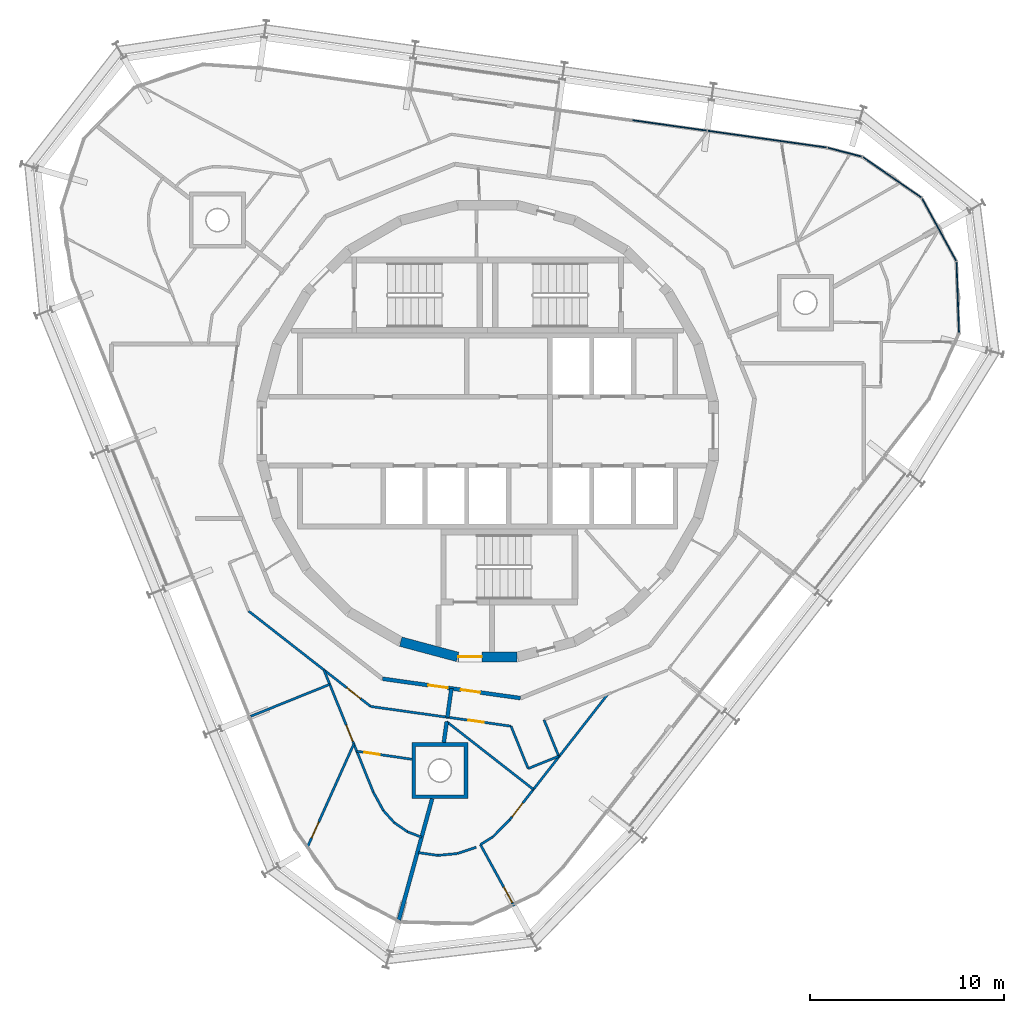
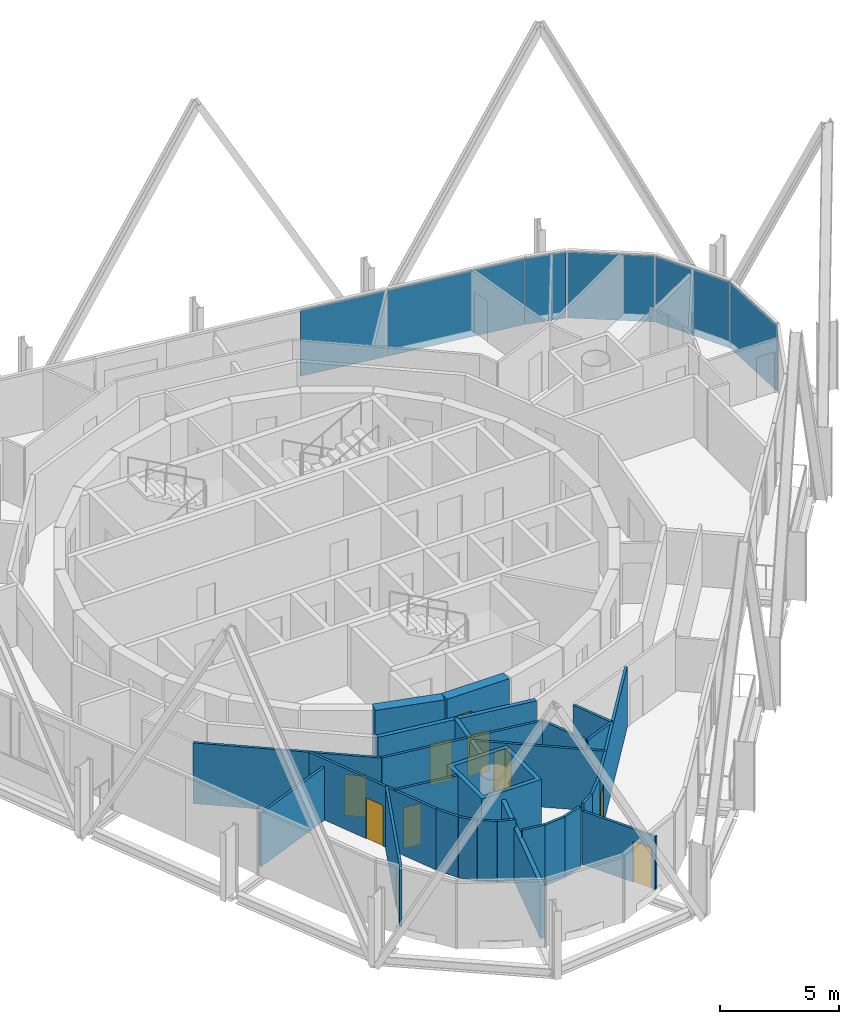
# One storey, part 9 of 15: 28 walls, 10 doors, 6 plates, 10 openings, 2 elements without a shape of their own.
"""IFC4 building model written with IfcOpenShell, lengths in metres."""

from ifc_helpers import new_model, si_unit, direction, frame, frame_2d, origin, origin_2d, place, context, subcontext, project, spatial, polyline, rectangle, outline, extrude, material, layer, layer_set, type_object, element, fill, aggregate, save


model = new_model("IFC4")

# Units and contexts
model_context = context("Model", 3, precision=1e-05, world=origin(), true_north=direction((0.0, 1.0)))
body_context = subcontext(model_context, "Body", "Model", "MODEL_VIEW")
ifc_project = project(units=[si_unit("LENGTHUNIT", "METRE"), si_unit("AREAUNIT", "SQUARE_METRE"), si_unit("VOLUMEUNIT", "CUBIC_METRE"), si_unit("PLANEANGLEUNIT", "RADIAN"), si_unit("MASSUNIT", "GRAM", prefix="KILO")], contexts=[model_context])

# Site, building, storey
site_placement = place(None, origin())
site = spatial("IfcSite", under=ifc_project, at=site_placement, CompositionType="ELEMENT")
building_placement = place(site_placement, origin())
building = spatial("IfcBuilding", under=site, at=building_placement, Name="Spindle Arch Residences", CompositionType="ELEMENT")
storey_placement = place(building_placement, frame((0.0, 0.0, 347.0)))
storey = spatial("IfcBuildingStorey", under=building, at=storey_placement, Name="L89", CompositionType="ELEMENT", Elevation=347.0)

# Curtain wall, plates
ifc_material_1 = material(Name="Aluminium bronze unitised frame with tinted glass", Category="aluminium")
ifc_layer_1 = layer(ifc_material_1, 0.159912109375)
ifc_layer_set_1 = layer_set([ifc_layer_1], Name="CW-D corner wall on the fillet arcs")
curtain_wall_type_1 = type_object("IfcCurtainWallType", Name="CW-D corner wall on the fillet arcs", PredefinedType="NOTDEFINED", material=ifc_layer_set_1)
curtain_wall_1_placement = place(storey_placement, origin())
curtain_wall_1 = element("IfcCurtainWall", 1, at=curtain_wall_1_placement, inside=storey, type_object=curtain_wall_type_1, Name="CW-D L89 run 1", PredefinedType="NOTDEFINED")
ifc_material_2 = material(Name="Tinted double glazing over aluminium faced non-combustible spandrel zone (K0)", Category="aluminium")
ifc_layer_2 = layer(ifc_material_2, 0.06005859375)
ifc_layer_set_2 = layer_set([ifc_layer_2], Name="Unitised glass panel with E 60 spandrel zone")
plate_type = type_object("IfcPlateType", Name="Unitised glass panel with E 60 spandrel zone", PredefinedType="CURTAIN_PANEL", material=ifc_layer_set_2)
plate_1_placement = place(storey_placement, frame((24.2470703125, 6.896240234375, -0.3798828125), z_axis=(0.0, 0.0, 1.0), x_axis=(-0.034899497139, 0.999390827004, 0.0)))
plate_1 = element("IfcPlate", 2, at=plate_1_placement, type_object=plate_type, Name="CW-D unit 02", PredefinedType="CURTAIN_PANEL", context=body_context, shape_type="SweptSolid", body=[
    extrude(rectangle(XDim=3.666748046875, YDim=0.06005859375, at=origin_2d()), origin(), (0.0, 0.0, 1.0), 3.3798828125),
])
plate_2_placement = place(storey_placement, frame((23.2880859375, 10.3935546875, -0.3798828125), z_axis=(0.0, 0.0, 1.0), x_axis=(-0.479713114021, 0.877425397533, 0.0)))
plate_2 = element("IfcPlate", 3, at=plate_2_placement, type_object=plate_type, Name="CW-D unit 03", PredefinedType="CURTAIN_PANEL", context=body_context, shape_type="SweptSolid", body=[
    extrude(rectangle(XDim=3.666748046875, YDim=0.06005859375, at=origin_2d()), origin(), (0.0, 0.0, 1.0), 3.3798828125),
])
plate_3_placement = place(storey_placement, frame((20.86181640625, 13.08837890625, -0.3798828125), z_axis=(0.0, 0.0, 1.0), x_axis=(-0.822475094841, 0.568801123739, 0.0)))
plate_3 = element("IfcPlate", 4, at=plate_3_placement, type_object=plate_type, Name="CW-D unit 04", PredefinedType="CURTAIN_PANEL", context=body_context, shape_type="SweptSolid", body=[
    extrude(rectangle(XDim=3.666748046875, YDim=0.06005859375, at=origin_2d()), origin(), (0.0, 0.0, 1.0), 3.3798828125),
])
plate_4_placement = place(storey_placement, frame((18.421630859375, 14.3857421875, -0.3798828125), z_axis=(0.0, 0.0, 1.0), x_axis=(-0.967415218326, 0.25319517245, 0.0)))
plate_4 = element("IfcPlate", 5, at=plate_4_placement, type_object=plate_type, Name="CW-D unit 05", PredefinedType="CURTAIN_PANEL", context=body_context, shape_type="SweptSolid", body=[
    extrude(rectangle(XDim=1.816162109375, YDim=0.06005859375, at=origin_2d()), origin(), (0.0, 0.0, 1.0), 3.3798828125),
])
plate_5_placement = place(storey_placement, frame((14.420166015625, 15.05810546875, -0.3798828125), z_axis=(0.0, 0.0, 1.0), x_axis=(-0.990268068742, 0.13917310096, 0.0)))
plate_5 = element("IfcPlate", 6, at=plate_5_placement, type_object=plate_type, Name="CW-D unit 06", PredefinedType="CURTAIN_PANEL", context=body_context, shape_type="SweptSolid", body=[
    extrude(rectangle(XDim=6.188720703125, YDim=0.06005859375, at=origin_2d()), origin(), (0.0, 0.0, 1.0), 3.3798828125),
])
aggregate(curtain_wall_1, [plate_1, plate_2, plate_3, plate_4, plate_5])

# Curtain wall, plate
ifc_material_3 = material(Name="Aluminium bronze unitised frame with tinted glass", Category="aluminium")
ifc_layer_3 = layer(ifc_material_3, 0.159912109375)
ifc_layer_set_3 = layer_set([ifc_layer_3], Name="CW-C typical residential unitised wall")
curtain_wall_type_2 = type_object("IfcCurtainWallType", Name="CW-C typical residential unitised wall", PredefinedType="NOTDEFINED", material=ifc_layer_set_3)
curtain_wall_2_placement = place(storey_placement, origin())
curtain_wall_2 = element("IfcCurtainWall", 7, at=curtain_wall_2_placement, inside=storey, type_object=curtain_wall_type_2, Name="CW-C L89 run 2", PredefinedType="NOTDEFINED")
plate_6_placement = place(storey_placement, frame((9.388916015625, 15.76513671875, -0.3798828125), z_axis=(0.0, 0.0, 1.0), x_axis=(-0.990268068742, 0.13917310096, 0.0)))
plate_6 = element("IfcPlate", 8, at=plate_6_placement, type_object=plate_type, Name="CW-C unit 05A", PredefinedType="CURTAIN_PANEL", context=body_context, shape_type="SweptSolid", body=[
    extrude(rectangle(XDim=3.852783203125, YDim=0.06005859375, at=origin_2d()), origin(), (0.0, 0.0, 1.0), 3.3798828125),
])
aggregate(curtain_wall_2, [plate_6])

# Wall
ifc_material_4 = material(Name="Concrete C50/60", Category="concrete")
ifc_layer_4 = layer(ifc_material_4, 0.5)
ifc_layer_set_4 = layer_set([ifc_layer_4], Name="Core outline wall 500")
wall_type_1 = type_object("IfcWallType", Name="Core outline wall 500", PredefinedType="SHEAR", material=ifc_layer_set_4)
wall_1_placement = place(storey_placement, frame((-4.479248046875, -10.858154296875, 0.0), z_axis=(0.0, 0.0, 1.0), x_axis=(0.965948410781, -0.258734743916, 0.0)))
element("IfcWall", 9, at=wall_1_placement, inside=storey, type_object=wall_type_1, Name="Core outline wall 23", PredefinedType="SHEAR", context=body_context, shape_type="SweptSolid", body=[
    extrude(rectangle(XDim=3.03271484375, YDim=0.5, at=frame_2d((1.516357421875, 0.0))), origin(), (0.0, 0.0, 1.0), 3.1201171875),
])

# Wall, opening, door
wall_2_placement = place(storey_placement, frame((-1.516357421875, -11.647216796875, 0.0), z_axis=(0.0, 0.0, 1.0), x_axis=(1.0, 0.0, 0.0)))
wall_2 = element("IfcWall", 10, at=wall_2_placement, inside=storey, type_object=wall_type_1, Name="Core outline wall 24", PredefinedType="SHEAR", context=body_context, shape_type="SweptSolid", body=[
    extrude(rectangle(XDim=3.03271484375, YDim=0.5, at=frame_2d((1.516357421875, 0.0))), origin(), (0.0, 0.0, 1.0), 3.1201171875),
])
opening_1_placement = place(wall_2_placement, frame((0.016357421875, 0.0, 0.0)))
opening_1 = element("IfcOpeningElement", 11, at=opening_1_placement, cuts=wall_2, Name="Opening R9B0-AD03", PredefinedType="OPENING", context=body_context, shape_type="SweptSolid", body=[
    extrude(rectangle(XDim=1.199951171875, YDim=2.10009765625, at=frame_2d((0.60009765625, 1.050048828125))), frame((0.0, 0.260009765625, 0.0), z_axis=(0.0, -1.0, 0.0), x_axis=(1.0, 0.0, 0.0)), (0.0, 0.0, 1.0), 0.52001953125),
])
ifc_material_5 = material(Name="Steel, fire-resisting door", Category="steel")
door_type_1 = type_object("IfcDoorType", Name="Stair airlock door 1200x2100", OperationType="SINGLE_SWING_LEFT", PredefinedType="DOOR", material=ifc_material_5)
door_1_placement = place(opening_1_placement, origin())
door_1 = element("IfcDoor", 12, at=door_1_placement, inside=storey, type_object=door_type_1, Name="Stair airlock door R9B0-AD03", OperationType="SINGLE_SWING_RIGHT", OverallHeight=2.10009765625, OverallWidth=1.199951171875, PredefinedType="DOOR", context=body_context, shape_type="SweptSolid", body=[
    extrude(rectangle(XDim=1.199951171875, YDim=2.10009765625, at=frame_2d((0.60009765625, 1.050048828125))), frame((0.0, 0.02490234375, 0.0), z_axis=(0.0, -1.0, 0.0), x_axis=(1.0, 0.0, 0.0)), (0.0, 0.0, 1.0), 0.050048828125),
])
fill(opening_1, door_1)

# Wall, openings, doors
ifc_material_6 = material(Name="Calcium silicate block, plastered")
ifc_layer_5 = layer(ifc_material_6, 0.199951171875)
ifc_layer_set_5 = layer_set([ifc_layer_5], Name="Corridor wall 200")
wall_type_2 = type_object("IfcWallType", Name="Corridor wall 200", PredefinedType="STANDARD", material=ifc_layer_set_5)
wall_3_placement = place(storey_placement, frame((-5.42041015625, -12.77001953125, 0.0), z_axis=(0.0, 0.0, 1.0), x_axis=(0.990270565508, -0.139155334385, 0.0)))
wall_3 = element("IfcWall", 13, at=wall_3_placement, inside=storey, type_object=wall_type_2, Name="Corridor wall R9B0-W015", PredefinedType="STANDARD", context=body_context, shape_type="SweptSolid", body=[
    extrude(rectangle(XDim=7.180908203125, YDim=0.199951171875, at=frame_2d((3.59033203125, 0.0))), origin(), (0.0, 0.0, 1.0), 3.1201171875),
])
opening_2_placement = place(wall_3_placement, frame((2.390380859375, 0.0, 0.0)))
opening_2 = element("IfcOpeningElement", 14, at=opening_2_placement, cuts=wall_3, Name="Opening R9B0-FD05", PredefinedType="OPENING", context=body_context, shape_type="SweptSolid", body=[
    extrude(rectangle(XDim=1.0, YDim=2.10009765625, at=frame_2d((0.5, 1.050048828125))), frame((0.0, 0.10986328125, 0.0), z_axis=(0.0, -1.0, 0.0), x_axis=(1.0, 0.0, 0.0)), (0.0, 0.0, 1.0), 0.219970703125),
])
opening_3_placement = place(wall_3_placement, frame((4.090576171875, 0.0, 0.0)))
opening_3 = element("IfcOpeningElement", 15, at=opening_3_placement, cuts=wall_3, Name="Opening R9B0-FD06", PredefinedType="OPENING", context=body_context, shape_type="SweptSolid", body=[
    extrude(rectangle(XDim=1.0, YDim=2.10009765625, at=frame_2d((0.5, 1.050048828125))), frame((0.0, 0.10986328125, 0.0), z_axis=(0.0, -1.0, 0.0), x_axis=(1.0, 0.0, 0.0)), (0.0, 0.0, 1.0), 0.219970703125),
])
ifc_material_7 = material(Name="Timber, fire-resisting door set", Category="wood")
door_type_2 = type_object("IfcDoorType", Name="Flat entrance door 1000x2100", OperationType="NOTDEFINED", PredefinedType="DOOR", material=ifc_material_7)
door_2_placement = place(opening_2_placement, origin())
door_2 = element("IfcDoor", 16, at=door_2_placement, inside=storey, type_object=door_type_2, Name="Flat entrance door R9B0-FD05", OperationType="SINGLE_SWING_RIGHT", OverallHeight=2.10009765625, OverallWidth=1.0, PredefinedType="DOOR", context=body_context, shape_type="SweptSolid", body=[
    extrude(rectangle(XDim=1.0, YDim=2.10009765625, at=frame_2d((0.5, 1.050048828125))), frame((0.0, 0.02490234375, 0.0), z_axis=(0.0, -1.0, 0.0), x_axis=(1.0, 0.0, 0.0)), (0.0, 0.0, 1.0), 0.050048828125),
])
fill(opening_2, door_2)
door_3_placement = place(opening_3_placement, origin())
door_3 = element("IfcDoor", 17, at=door_3_placement, inside=storey, type_object=door_type_2, Name="Flat entrance door R9B0-FD06", OperationType="SINGLE_SWING_RIGHT", OverallHeight=2.10009765625, OverallWidth=1.0, PredefinedType="DOOR", context=body_context, shape_type="SweptSolid", body=[
    extrude(rectangle(XDim=1.0, YDim=2.10009765625, at=frame_2d((0.5, 1.050048828125))), frame((0.0, 0.02490234375, 0.0), z_axis=(0.0, -1.0, 0.0), x_axis=(1.0, 0.0, 0.0)), (0.0, 0.0, 1.0), 0.050048828125),
])
fill(opening_3, door_3)

# Wall, opening, door
ifc_material_8 = material(Name="Plasterboard on steel studs", Category="steel")
ifc_layer_6 = layer(ifc_material_8, 0.1201171875)
ifc_layer_set_6 = layer_set([ifc_layer_6], Name="Flat partition 120")
wall_type_3 = type_object("IfcWallType", Name="Flat partition 120", PredefinedType="PARTITIONING", material=ifc_layer_set_6)
wall_4_placement = place(storey_placement, frame((-12.3193359375, -9.283447265625, 0.0), z_axis=(0.0, 0.0, 1.0), x_axis=(0.788000268464, -0.61567489546, 0.0)))
wall_4 = element("IfcWall", 18, at=wall_4_placement, inside=storey, type_object=wall_type_3, Name="Flat partition R9B0-W075", PredefinedType="PARTITIONING", context=body_context, shape_type="SweptSolid", body=[
    extrude(rectangle(XDim=7.98486328125, YDim=0.1201171875, at=frame_2d((3.992431640625, 0.0))), origin(), (0.0, 0.0, 1.0), 3.1201171875),
])
opening_4_placement = place(wall_4_placement, frame((6.423095703125, 0.0, 0.0)))
opening_4 = element("IfcOpeningElement", 19, at=opening_4_placement, cuts=wall_4, Name="Opening R9B0-ID16", PredefinedType="OPENING", context=body_context, shape_type="SweptSolid", body=[
    extrude(rectangle(XDim=0.89990234375, YDim=2.10009765625, at=frame_2d((0.449951171875, 1.050048828125))), frame((0.0, 0.070068359375, 0.0), z_axis=(0.0, -1.0, 0.0), x_axis=(1.0, 0.0, 0.0)), (0.0, 0.0, 1.0), 0.14013671875),
])
ifc_material_9 = material(Name="Timber door set", Category="wood")
door_type_3 = type_object("IfcDoorType", Name="Room door 900x2100", OperationType="NOTDEFINED", PredefinedType="DOOR", material=ifc_material_9)
door_4_placement = place(opening_4_placement, origin())
door_4 = element("IfcDoor", 20, at=door_4_placement, inside=storey, type_object=door_type_3, Name="Room door R9B0-ID16", OperationType="SINGLE_SWING_RIGHT", OverallHeight=2.10009765625, OverallWidth=0.89990234375, PredefinedType="DOOR", context=body_context, shape_type="SweptSolid", body=[
    extrude(rectangle(XDim=0.89990234375, YDim=2.10009765625, at=frame_2d((0.449951171875, 1.050048828125))), frame((0.0, 0.02490234375, 0.0), z_axis=(0.0, -1.0, 0.0), x_axis=(1.0, 0.0, 0.0)), (0.0, 0.0, 1.0), 0.050048828125),
])
fill(opening_4, door_4)

wall_5_placement = place(storey_placement, frame((-6.02734375, -14.199462890625, 0.0), z_axis=(0.0, 0.0, 1.0), x_axis=(0.990271617837, -0.139147845494, 0.0)))
wall_5 = element("IfcWall", 21, at=wall_5_placement, inside=storey, type_object=wall_type_3, Name="Flat partition R9B0-W076", PredefinedType="PARTITIONING", context=body_context, shape_type="SweptSolid", body=[
    extrude(rectangle(XDim=7.3076171875, YDim=0.1201171875, at=frame_2d((3.65380859375, 0.0))), origin(), (0.0, 0.0, 1.0), 3.1201171875),
])
opening_5_placement = place(wall_5_placement, frame((5.092529296875, 0.0, 0.0)))
opening_5 = element("IfcOpeningElement", 22, at=opening_5_placement, cuts=wall_5, Name="Opening R9B0-BD06", PredefinedType="OPENING", context=body_context, shape_type="SweptSolid", body=[
    extrude(rectangle(XDim=0.800048828125, YDim=2.10009765625, at=frame_2d((0.39990234375, 1.050048828125))), frame((0.0, 0.070068359375, 0.0), z_axis=(0.0, -1.0, 0.0), x_axis=(1.0, 0.0, 0.0)), (0.0, 0.0, 1.0), 0.14013671875),
])
ifc_material_10 = material(Name="Timber door set", Category="wood")
door_type_4 = type_object("IfcDoorType", Name="Bathroom door 800x2100", OperationType="NOTDEFINED", PredefinedType="DOOR", material=ifc_material_10)
door_5_placement = place(opening_5_placement, origin())
door_5 = element("IfcDoor", 23, at=door_5_placement, inside=storey, type_object=door_type_4, Name="Bathroom door R9B0-BD06", OperationType="SINGLE_SWING_LEFT", OverallHeight=2.10009765625, OverallWidth=0.800048828125, PredefinedType="DOOR", context=body_context, shape_type="SweptSolid", body=[
    extrude(rectangle(XDim=0.800048828125, YDim=2.10009765625, at=frame_2d((0.39990234375, 1.050048828125))), frame((0.0, 0.02490234375, 0.0), z_axis=(0.0, -1.0, 0.0), x_axis=(1.0, 0.0, 0.0)), (0.0, 0.0, 1.0), 0.050048828125),
])
fill(opening_5, door_5)

wall_6_placement = place(storey_placement, frame((-5.89404296875, -18.615966796875, 0.0), z_axis=(0.0, 0.0, 1.0), x_axis=(-0.374596683143, 0.927187858515, 0.0)))
wall_6 = element("IfcWall", 24, at=wall_6_placement, inside=storey, type_object=wall_type_3, Name="Flat partition R9B0-W078", PredefinedType="PARTITIONING", context=body_context, shape_type="SweptSolid", body=[
    extrude(rectangle(XDim=6.79638671875, YDim=0.1201171875, at=frame_2d((3.398193359375, 0.0))), origin(), (0.0, 0.0, 1.0), 3.1201171875),
])
opening_6_placement = place(wall_6_placement, frame((2.822265625, 0.0, 0.0)))
opening_6 = element("IfcOpeningElement", 25, at=opening_6_placement, cuts=wall_6, Name="Opening R9B0-ID17", PredefinedType="OPENING", context=body_context, shape_type="SweptSolid", body=[
    extrude(rectangle(XDim=0.89990234375, YDim=2.10009765625, at=frame_2d((0.449951171875, 1.050048828125))), frame((0.0, 0.070068359375, 0.0), z_axis=(0.0, -1.0, 0.0), x_axis=(1.0, 0.0, 0.0)), (0.0, 0.0, 1.0), 0.14013671875),
])
door_6_placement = place(opening_6_placement, origin())
door_6 = element("IfcDoor", 26, at=door_6_placement, inside=storey, type_object=door_type_3, Name="Room door R9B0-ID17", OperationType="SINGLE_SWING_RIGHT", OverallHeight=2.10009765625, OverallWidth=0.89990234375, PredefinedType="DOOR", context=body_context, shape_type="SweptSolid", body=[
    extrude(rectangle(XDim=0.89990234375, YDim=2.10009765625, at=frame_2d((0.449951171875, 1.050048828125))), frame((0.0, 0.02490234375, 0.0), z_axis=(0.0, -1.0, 0.0), x_axis=(1.0, 0.0, 0.0)), (0.0, 0.0, 1.0), 0.050048828125),
])
fill(opening_6, door_6)

wall_7_placement = place(storey_placement, frame((-9.3203125, -21.52099609375, 0.0), z_axis=(0.0, 0.0, 1.0), x_axis=(0.410206582363, 0.911992631432, 0.0)))
wall_7 = element("IfcWall", 27, at=wall_7_placement, inside=storey, type_object=wall_type_3, Name="Flat partition R9B0-W079", PredefinedType="PARTITIONING", context=body_context, shape_type="SweptSolid", body=[
    extrude(rectangle(XDim=5.90771484375, YDim=0.1201171875, at=frame_2d((2.953857421875, 0.0))), origin(), (0.0, 0.0, 1.0), 3.1201171875),
])
opening_7_placement = place(wall_7_placement, frame((0.60009765625, 0.0, 0.0)))
opening_7 = element("IfcOpeningElement", 28, at=opening_7_placement, cuts=wall_7, Name="Opening R9B0-ID18", PredefinedType="OPENING", context=body_context, shape_type="SweptSolid", body=[
    extrude(rectangle(XDim=0.89990234375, YDim=2.10009765625, at=frame_2d((0.449951171875, 1.050048828125))), frame((0.0, 0.070068359375, 0.0), z_axis=(0.0, -1.0, 0.0), x_axis=(1.0, 0.0, 0.0)), (0.0, 0.0, 1.0), 0.14013671875),
])
door_7_placement = place(opening_7_placement, origin())
door_7 = element("IfcDoor", 29, at=door_7_placement, inside=storey, type_object=door_type_3, Name="Room door R9B0-ID18", OperationType="SINGLE_SWING_RIGHT", OverallHeight=2.10009765625, OverallWidth=0.89990234375, PredefinedType="DOOR", context=body_context, shape_type="SweptSolid", body=[
    extrude(rectangle(XDim=0.89990234375, YDim=2.10009765625, at=frame_2d((0.449951171875, 1.050048828125))), frame((0.0, 0.02490234375, 0.0), z_axis=(0.0, -1.0, 0.0), x_axis=(1.0, 0.0, 0.0)), (0.0, 0.0, 1.0), 0.050048828125),
])
fill(opening_7, door_7)

wall_8_placement = place(storey_placement, frame((-6.7451171875, -16.509033203125, 0.0), z_axis=(0.0, 0.0, 1.0), x_axis=(0.989610924185, -0.143771411393, 0.0)))
wall_8 = element("IfcWall", 30, at=wall_8_placement, inside=storey, type_object=wall_type_3, Name="Flat partition R9B0-W080", PredefinedType="PARTITIONING", context=body_context, shape_type="SweptSolid", body=[
    extrude(rectangle(XDim=2.86474609375, YDim=0.1201171875, at=frame_2d((1.432373046875, 0.0))), origin(), (0.0, 0.0, 1.0), 3.1201171875),
])
opening_8_placement = place(wall_8_placement, frame((0.39990234375, 0.0, 0.0)))
opening_8 = element("IfcOpeningElement", 31, at=opening_8_placement, cuts=wall_8, Name="Opening R9B0-BD05", PredefinedType="OPENING", context=body_context, shape_type="SweptSolid", body=[
    extrude(rectangle(XDim=0.800048828125, YDim=2.10009765625, at=frame_2d((0.39990234375, 1.050048828125))), frame((0.0, 0.070068359375, 0.0), z_axis=(0.0, -1.0, 0.0), x_axis=(1.0, 0.0, 0.0)), (0.0, 0.0, 1.0), 0.14013671875),
])
door_8_placement = place(opening_8_placement, origin())
door_8 = element("IfcDoor", 32, at=door_8_placement, inside=storey, type_object=door_type_4, Name="Bathroom door R9B0-BD05", OperationType="SINGLE_SWING_RIGHT", OverallHeight=2.10009765625, OverallWidth=0.800048828125, PredefinedType="DOOR", context=body_context, shape_type="SweptSolid", body=[
    extrude(rectangle(XDim=0.800048828125, YDim=2.10009765625, at=frame_2d((0.39990234375, 1.050048828125))), frame((0.0, 0.02490234375, 0.0), z_axis=(0.0, -1.0, 0.0), x_axis=(1.0, 0.0, 0.0)), (0.0, 0.0, 1.0), 0.050048828125),
])
fill(opening_8, door_8)

# Walls
wall_9_placement = place(storey_placement, frame((-3.403564453125, -20.943115234375, 0.0), z_axis=(0.0, 0.0, 1.0), x_axis=(-0.931485289212, 0.363778993321, 0.0)))
element("IfcWall", 33, at=wall_9_placement, inside=storey, type_object=wall_type_3, Name="Flat partition R9B0-W081", PredefinedType="PARTITIONING", context=body_context, shape_type="SweptSolid", body=[
    extrude(rectangle(XDim=0.78662109375, YDim=0.1201171875, at=frame_2d((0.393310546875, 0.0))), origin(), (0.0, 0.0, 1.0), 3.1201171875),
])
wall_10_placement = place(storey_placement, frame((-4.13623046875, -20.656982421875, 0.0), z_axis=(0.0, 0.0, 1.0), x_axis=(-0.822552500908, 0.568689179826, 0.0)))
element("IfcWall", 34, at=wall_10_placement, inside=storey, type_object=wall_type_3, Name="Flat partition R9B0-W082", PredefinedType="PARTITIONING", context=body_context, shape_type="SweptSolid", body=[
    extrude(rectangle(XDim=0.8291015625, YDim=0.1201171875, at=frame_2d((0.41455078125, 0.0))), origin(), (0.0, 0.0, 1.0), 3.1201171875),
])
wall_11_placement = place(storey_placement, frame((-4.818115234375, -20.185546875, 0.0), z_axis=(0.0, 0.0, 1.0), x_axis=(-0.669013557227, 0.743250200301, 0.0)))
element("IfcWall", 35, at=wall_11_placement, inside=storey, type_object=wall_type_3, Name="Flat partition R9B0-W083", PredefinedType="PARTITIONING", context=body_context, shape_type="SweptSolid", body=[
    extrude(rectangle(XDim=0.828857421875, YDim=0.1201171875, at=frame_2d((0.41455078125, 0.0))), origin(), (0.0, 0.0, 1.0), 3.1201171875),
])
wall_12_placement = place(storey_placement, frame((-5.37255859375, -19.569580078125, 0.0), z_axis=(0.0, 0.0, 1.0), x_axis=(-0.479796131471, 0.87738000446, 0.0)))
element("IfcWall", 36, at=wall_12_placement, inside=storey, type_object=wall_type_3, Name="Flat partition R9B0-W084", PredefinedType="PARTITIONING", context=body_context, shape_type="SweptSolid", body=[
    extrude(rectangle(XDim=1.0869140625, YDim=0.1201171875, at=frame_2d((0.54345703125, 0.0))), origin(), (0.0, 0.0, 1.0), 3.1201171875),
])
wall_13_placement = place(storey_placement, frame((1.209228515625, -15.21630859375, 0.0), z_axis=(0.0, 0.0, 1.0), x_axis=(0.374531550488, -0.927214170345, 0.0)))
element("IfcWall", 37, at=wall_13_placement, inside=storey, type_object=wall_type_3, Name="Flat partition R9B0-W085", PredefinedType="PARTITIONING", context=body_context, shape_type="SweptSolid", body=[
    extrude(rectangle(XDim=2.357177734375, YDim=0.1201171875, at=frame_2d((1.1787109375, 0.0))), origin(), (0.0, 0.0, 1.0), 3.1201171875),
])
wall_14_placement = place(storey_placement, frame((2.092041015625, -17.40185546875, 0.0), z_axis=(0.0, 0.0, 1.0), x_axis=(0.927153589835, 0.374681492546, 0.0)))
element("IfcWall", 38, at=wall_14_placement, inside=storey, type_object=wall_type_3, Name="Flat partition R9B0-W086", PredefinedType="PARTITIONING", context=body_context, shape_type="SweptSolid", body=[
    extrude(rectangle(XDim=1.699951171875, YDim=0.1201171875, at=frame_2d((0.85009765625, 0.0))), origin(), (0.0, 0.0, 1.0), 3.1201171875),
])
wall_15_placement = place(storey_placement, frame((3.668212890625, -16.764892578125, 0.0), z_axis=(0.0, 0.0, 1.0), x_axis=(-0.374621045498, 0.927178015416, 0.0)))
element("IfcWall", 39, at=wall_15_placement, inside=storey, type_object=wall_type_3, Name="Flat partition R9B0-W087", PredefinedType="PARTITIONING", context=body_context, shape_type="SweptSolid", body=[
    extrude(rectangle(XDim=2.018310546875, YDim=0.1201171875, at=frame_2d((1.00927734375, 0.0))), origin(), (0.0, 0.0, 1.0), 3.1201171875),
])
wall_16_placement = place(storey_placement, frame((-0.587890625, -21.45947265625, 0.0), z_axis=(0.0, 0.0, 1.0), x_axis=(-0.94737753159, -0.320118435332, 0.0)))
element("IfcWall", 40, at=wall_16_placement, inside=storey, type_object=wall_type_3, Name="Flat partition R9B0-W090", PredefinedType="PARTITIONING", context=body_context, shape_type="SweptSolid", body=[
    extrude(rectangle(XDim=1.015869140625, YDim=0.1201171875, at=frame_2d((0.5078125, 0.0))), origin(), (0.0, 0.0, 1.0), 3.1201171875),
])
wall_17_placement = place(storey_placement, frame((-1.55029296875, -21.78466796875, 0.0), z_axis=(0.0, 0.0, 1.0), x_axis=(-0.995667655176, -0.092983441736, 0.0)))
element("IfcWall", 41, at=wall_17_placement, inside=storey, type_object=wall_type_3, Name="Flat partition R9B0-W091", PredefinedType="PARTITIONING", context=body_context, shape_type="SweptSolid", body=[
    extrude(rectangle(XDim=1.01611328125, YDim=0.1201171875, at=frame_2d((0.508056640625, 0.0))), origin(), (0.0, 0.0, 1.0), 3.1201171875),
])
wall_18_placement = place(storey_placement, frame((-2.56201171875, -21.879150390625, 0.0), z_axis=(0.0, 0.0, 1.0), x_axis=(-0.990273657549, 0.139133328736, 0.0)))
element("IfcWall", 42, at=wall_18_placement, inside=storey, type_object=wall_type_3, Name="Flat partition R9B0-W092", PredefinedType="PARTITIONING", context=body_context, shape_type="SweptSolid", body=[
    extrude(rectangle(XDim=1.015869140625, YDim=0.1201171875, at=frame_2d((0.5078125, 0.0))), origin(), (0.0, 0.0, 1.0), 3.1201171875),
])
wall_19_placement = place(storey_placement, frame((2.36328125, -18.477783203125, 0.0), z_axis=(0.0, 0.0, 1.0), x_axis=(-0.788010669333, 0.615661583191, 0.0)))
element("IfcWall", 43, at=wall_19_placement, inside=storey, type_object=wall_type_3, Name="Flat partition R9B0-W094", PredefinedType="PARTITIONING", context=body_context, shape_type="SweptSolid", body=[
    extrude(rectangle(XDim=5.671875, YDim=0.1201171875, at=frame_2d((2.8359375, 0.0))), origin(), (0.0, 0.0, 1.0), 3.1201171875),
])
wall_20_placement = place(storey_placement, frame((-0.368896484375, -21.32275390625, 0.0), z_axis=(0.0, 0.0, 1.0), x_axis=(0.847998304005, 0.529998940003, 0.0)))
element("IfcWall", 44, at=wall_20_placement, inside=storey, type_object=wall_type_3, Name="Flat partition R9B0-W095", PredefinedType="PARTITIONING", context=body_context, shape_type="SweptSolid", body=[
    extrude(rectangle(XDim=0.7578125, YDim=0.1201171875, at=frame_2d((0.37890625, 0.0))), origin(), (0.0, 0.0, 1.0), 3.1201171875),
])
wall_21_placement = place(storey_placement, frame((0.273681640625, -20.921142578125, 0.0), z_axis=(0.0, 0.0, 1.0), x_axis=(0.702915150142, 0.711273710818, 0.0)))
element("IfcWall", 45, at=wall_21_placement, inside=storey, type_object=wall_type_3, Name="Flat partition R9B0-W096", PredefinedType="PARTITIONING", context=body_context, shape_type="SweptSolid", body=[
    extrude(rectangle(XDim=1.226806640625, YDim=0.1201171875, at=frame_2d((0.61328125, 0.0))), origin(), (0.0, 0.0, 1.0), 3.1201171875),
])

# Wall, opening, door
wall_22_placement = place(storey_placement, frame((1.135986328125, -20.048583984375, 0.0), z_axis=(0.0, 0.0, 1.0), x_axis=(0.615662465763, 0.788009979792, 0.0)))
wall_22 = element("IfcWall", 46, at=wall_22_placement, inside=storey, type_object=wall_type_3, Name="Flat partition R9B0-W097", PredefinedType="PARTITIONING", context=body_context, shape_type="SweptSolid", body=[
    extrude(rectangle(XDim=8.228759765625, YDim=0.1201171875, at=frame_2d((4.1142578125, 0.0))), origin(), (0.0, 0.0, 1.0), 3.1201171875),
])
opening_9_placement = place(wall_22_placement, frame((0.199951171875, 0.0, 0.0)))
opening_9 = element("IfcOpeningElement", 47, at=opening_9_placement, cuts=wall_22, Name="Opening R9B0-ID22", PredefinedType="OPENING", context=body_context, shape_type="SweptSolid", body=[
    extrude(rectangle(XDim=0.89990234375, YDim=2.10009765625, at=frame_2d((0.449951171875, 1.050048828125))), frame((0.0, 0.070068359375, 0.0), z_axis=(0.0, -1.0, 0.0), x_axis=(1.0, 0.0, 0.0)), (0.0, 0.0, 1.0), 0.14013671875),
])
door_9_placement = place(opening_9_placement, origin())
door_9 = element("IfcDoor", 48, at=door_9_placement, inside=storey, type_object=door_type_3, Name="Room door R9B0-ID22", OperationType="SINGLE_SWING_RIGHT", OverallHeight=2.10009765625, OverallWidth=0.89990234375, PredefinedType="DOOR", context=body_context, shape_type="SweptSolid", body=[
    extrude(rectangle(XDim=0.89990234375, YDim=2.10009765625, at=frame_2d((0.449951171875, 1.050048828125))), frame((0.0, 0.02490234375, 0.0), z_axis=(0.0, -1.0, 0.0), x_axis=(1.0, 0.0, 0.0)), (0.0, 0.0, 1.0), 0.050048828125),
])
fill(opening_9, door_9)

# Wall
ifc_material_11 = material(Name="Plasterboard on steel studs", Category="steel")
ifc_layer_7 = layer(ifc_material_11, 0.1201171875)
ifc_layer_set_7 = layer_set([ifc_layer_7], Name="Flat partition 120 under beam 2730")
wall_type_4 = type_object("IfcWallType", Name="Flat partition 120 under beam 2730", PredefinedType="PARTITIONING", material=ifc_layer_set_7)
wall_23_placement = place(storey_placement, frame((-12.218505859375, -14.7080078125, 0.0), z_axis=(0.0, 0.0, 1.0), x_axis=(0.927189216671, 0.374593321469, 0.0)))
element("IfcWall", 49, at=wall_23_placement, inside=storey, type_object=wall_type_4, Name="Flat partition R9B0-W077", PredefinedType="PARTITIONING", context=body_context, shape_type="SweptSolid", body=[
    extrude(rectangle(XDim=4.39990234375, YDim=0.1201171875, at=frame_2d((2.199951171875, 0.0))), origin(), (0.0, 0.0, 1.0), 2.72998046875),
])

# Wall, opening, door
wall_24_placement = place(storey_placement, frame((1.36328125, -24.4853515625, 0.0), z_axis=(0.0, 0.0, 1.0), x_axis=(-0.480374148719, 0.877063667725, 0.0)))
wall_24 = element("IfcWall", 50, at=wall_24_placement, inside=storey, type_object=wall_type_4, Name="Flat partition R9B0-W093", PredefinedType="PARTITIONING", context=body_context, shape_type="SweptSolid", body=[
    extrude(rectangle(XDim=3.60595703125, YDim=0.1201171875, at=frame_2d((1.802978515625, 0.0))), origin(), (0.0, 0.0, 1.0), 2.72998046875),
])
opening_10_placement = place(wall_24_placement, frame((0.199951171875, 0.0, 0.0)))
opening_10 = element("IfcOpeningElement", 51, at=opening_10_placement, cuts=wall_24, Name="Opening R9B0-ID21", PredefinedType="OPENING", context=body_context, shape_type="SweptSolid", body=[
    extrude(rectangle(XDim=0.89990234375, YDim=2.10009765625, at=frame_2d((0.449951171875, 1.050048828125))), frame((0.0, 0.070068359375, 0.0), z_axis=(0.0, -1.0, 0.0), x_axis=(1.0, 0.0, 0.0)), (0.0, 0.0, 1.0), 0.14013671875),
])
door_10_placement = place(opening_10_placement, origin())
door_10 = element("IfcDoor", 52, at=door_10_placement, inside=storey, type_object=door_type_3, Name="Room door R9B0-ID21", OperationType="SINGLE_SWING_LEFT", OverallHeight=2.10009765625, OverallWidth=0.89990234375, PredefinedType="DOOR", context=body_context, shape_type="SweptSolid", body=[
    extrude(rectangle(XDim=0.89990234375, YDim=2.10009765625, at=frame_2d((0.449951171875, 1.050048828125))), frame((0.0, 0.02490234375, 0.0), z_axis=(0.0, -1.0, 0.0), x_axis=(1.0, 0.0, 0.0)), (0.0, 0.0, 1.0), 0.050048828125),
])
fill(opening_10, door_10)

# Walls
ifc_material_12 = material(Name="Calcium silicate block, plastered")
ifc_layer_8 = layer(ifc_material_12, 0.199951171875)
ifc_layer_set_8 = layer_set([ifc_layer_8], Name="Flat party wall 200")
wall_type_5 = type_object("IfcWallType", Name="Flat party wall 200", PredefinedType="STANDARD", material=ifc_layer_set_8)
wall_25_placement = place(storey_placement, frame((-2.073486328125, -14.7548828125, 0.0), z_axis=(0.0, 0.0, 1.0), x_axis=(0.139005431033, 0.990291618738, 0.0)))
element("IfcWall", 53, at=wall_25_placement, inside=storey, type_object=wall_type_5, Name="Flat party wall R9B0-W028", PredefinedType="STANDARD", context=body_context, shape_type="SweptSolid", body=[
    extrude(rectangle(XDim=1.5, YDim=0.199951171875, at=frame_2d((0.75, 0.0))), origin(), (0.0, 0.0, 1.0), 3.1201171875),
])
wall_26_placement = place(storey_placement, frame((-2.25634765625, -16.0546875, 0.0), z_axis=(0.0, 0.0, 1.0), x_axis=(0.139109268657, 0.990277037689, 0.0)))
element("IfcWall", 54, at=wall_26_placement, inside=storey, type_object=wall_type_5, Name="Flat party wall R9B0-W029", PredefinedType="STANDARD", context=body_context, shape_type="SweptSolid", body=[
    extrude(rectangle(XDim=1.079345703125, YDim=0.199951171875, at=frame_2d((0.53955078125, 0.0))), origin(), (0.0, 0.0, 1.0), 3.1201171875),
])
ifc_material_13 = material(Name="Calcium silicate block, plastered")
ifc_layer_9 = layer(ifc_material_13, 0.199951171875)
ifc_layer_set_9 = layer_set([ifc_layer_9], Name="Flat party wall 200 under beam 2730")
wall_type_6 = type_object("IfcWallType", Name="Flat party wall 200 under beam 2730", PredefinedType="STANDARD", material=ifc_layer_set_9)
wall_27_placement = place(storey_placement, frame((-4.573974609375, -25.209716796875, 0.0), z_axis=(0.0, 0.0, 1.0), x_axis=(0.264579024648, 0.964364007892, 0.0)))
element("IfcWall", 55, at=wall_27_placement, inside=storey, type_object=wall_type_6, Name="Flat party wall R9B0-W030", PredefinedType="STANDARD", context=body_context, shape_type="SweptSolid", body=[
    extrude(rectangle(XDim=6.486083984375, YDim=0.199951171875, at=frame_2d((3.2431640625, 0.0))), origin(), (0.0, 0.0, 1.0), 2.72998046875),
])
ifc_material_14 = material(Name="Calcium silicate block, plastered")
ifc_layer_10 = layer(ifc_material_14, 0.199951171875)
ifc_layer_set_10 = layer_set([ifc_layer_10], Name="Mega-column casing wall 200")
wall_type_7 = type_object("IfcWallType", Name="Mega-column casing wall 200", PredefinedType="STANDARD", material=ifc_layer_set_10)
wall_28_placement = place(storey_placement, origin())
element("IfcWall", 56, at=wall_28_placement, inside=storey, type_object=wall_type_7, Name="Mega-column casing wall R9B0-WC03", PredefinedType="STANDARD", context=body_context, shape_type="SweptSolid", body=[
    extrude(outline(polyline([(-1.010009765625, -16.0546875), (-1.010009765625, -18.954833984375), (-3.91015625, -18.954833984375), (-3.91015625, -16.0546875), (-1.010009765625, -16.0546875)]), holes=[polyline([(-3.710205078125, -18.7548828125), (-1.210205078125, -18.7548828125), (-1.210205078125, -16.2548828125), (-3.710205078125, -16.2548828125), (-3.710205078125, -18.7548828125)])]), origin(), (0.0, 0.0, 1.0), 3.1201171875),
])

save(model, "model.ifc")
